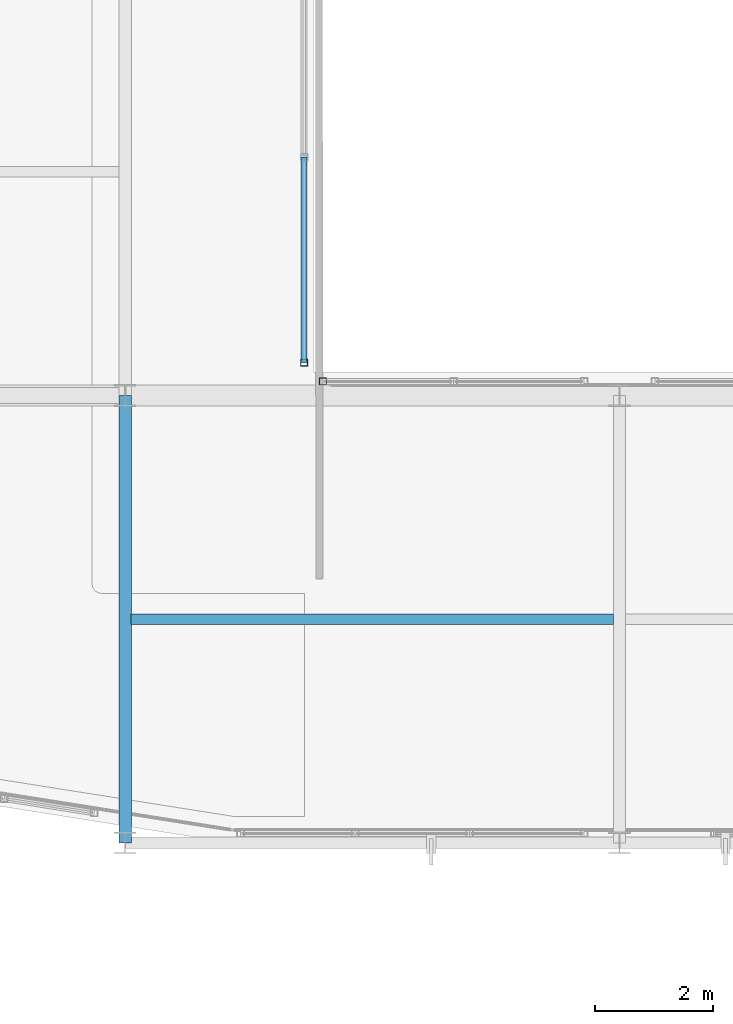
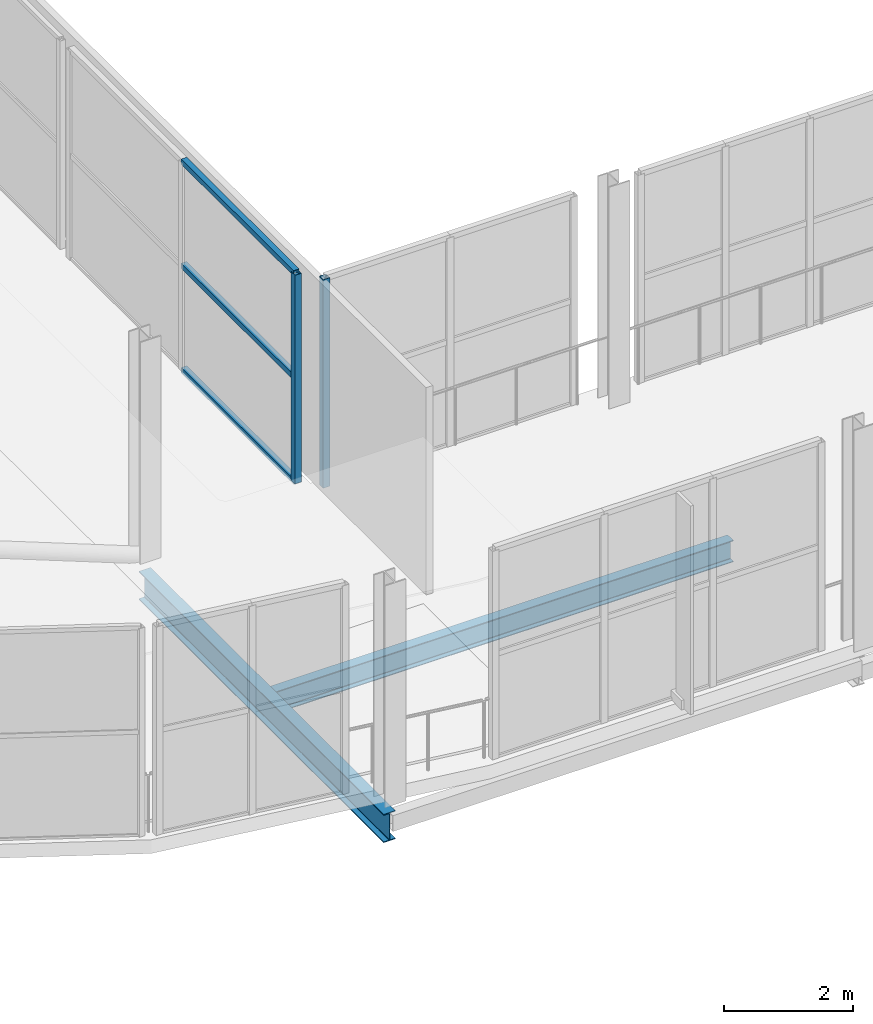
# One storey, part 19 of 217: 5 members, 2 beams, 2 elements without a shape of their own.
"""IFC4 building model written with IfcOpenShell, lengths in metres."""

import ifcopenshell
import ifcopenshell.guid

model = None  # the IFC model being written
_history = None  # IfcOwnerHistory: only IFC2X3 demands one
_inside = {}  # id of a spatial element -> (the spatial element, [elements in it])
_under = {}  # id of a project, library or spatial element -> (it, [spatial elements below it])
_declared = {}  # id of a project -> (the project, [libraries it declares])
_typed = {}  # id of a type object -> (the type object, [elements of that type])
_made_of = {}  # id of a material, layer set ... -> (it, [elements and type objects made of it])


def new_model(schema):
    """Start an empty IFC model of exactly this schema.

    Asked for "IFC4X3", IfcOpenShell would pick the latest addendum, in which some entities
    have other attributes; the version numbers below select the first issue.
    IFC2X3 requires an IfcOwnerHistory on every rooted entity: one is made here for all.
    """
    global model, _history
    if schema == "IFC4X3":
        model = ifcopenshell.file(schema_version=(4, 3, 0, 0))
    else:
        model = ifcopenshell.file(schema=schema)
    _inside.clear()
    _under.clear()
    _declared.clear()
    _typed.clear()
    _made_of.clear()
    _history = None
    if model.schema == "IFC2X3":
        org = make("IfcOrganization", Name="unknown")
        user = make(
            "IfcPersonAndOrganization",
            ThePerson=make("IfcPerson", FamilyName="unknown"),
            TheOrganization=org,
        )
        app = make(
            "IfcApplication",
            ApplicationDeveloper=org,
            Version="unknown",
            ApplicationFullName="unknown",
            ApplicationIdentifier="unknown",
        )
        _history = make(
            "IfcOwnerHistory",
            OwningUser=user,
            OwningApplication=app,
            ChangeAction="ADDED",
            CreationDate=0,
        )
    return model


def make(cls, **values):
    """One entity of the class cls with the attributes given. An attribute that is None is left unset."""
    return model.create_entity(
        cls, **{name: value for name, value in values.items() if value is not None}
    )


def rooted(cls, **values):
    """An entity with a GlobalId (a new one), such as an element, a storey or a relation."""
    return make(cls, GlobalId=ifcopenshell.guid.new(), OwnerHistory=_history, **values)


def si_unit(unit_type, name, prefix=None):
    """IfcSIUnit, for example si_unit("LENGTHUNIT", "METRE", prefix="MILLI")."""
    return make("IfcSIUnit", UnitType=unit_type, Prefix=prefix, Name=name)


def assignment(units):
    """IfcUnitAssignment: the units of a project."""
    return None if units is None else make("IfcUnitAssignment", Units=units)


def point(xyz):
    """IfcCartesianPoint."""
    return None if xyz is None else make("IfcCartesianPoint", Coordinates=xyz)


def direction(xyz):
    """IfcDirection."""
    return None if xyz is None else make("IfcDirection", DirectionRatios=xyz)


def frame(location, z_axis=None, x_axis=None):
    """IfcAxis2Placement3D, a coordinate frame: its origin and axes. An axis left out is left unset."""
    return make(
        "IfcAxis2Placement3D",
        Location=point(location),
        Axis=direction(z_axis),
        RefDirection=direction(x_axis),
    )


def frame_2d(location, x_axis=None):
    """IfcAxis2Placement2D, a coordinate frame in the plane: its origin and x axis."""
    return make(
        "IfcAxis2Placement2D", Location=point(location), RefDirection=direction(x_axis)
    )


def origin():
    """The frame at (0, 0, 0) with its axes left unset."""
    return frame((0.0, 0.0, 0.0))


def origin_2d():
    """The frame at (0, 0) in the plane with its x axis left unset."""
    return frame_2d((0.0, 0.0))


def place(relative_to, where):
    """IfcLocalPlacement: puts the frame where relative to a parent placement (None: the world)."""
    return make(
        "IfcLocalPlacement", PlacementRelTo=relative_to, RelativePlacement=where
    )


def context(
    kind, dimensions, precision=None, world=None, true_north=None, identifier=None
):
    """IfcGeometricRepresentationContext, for example the 3D "Model" context."""
    return make(
        "IfcGeometricRepresentationContext",
        ContextIdentifier=identifier,
        ContextType=kind,
        CoordinateSpaceDimension=dimensions,
        Precision=precision,
        WorldCoordinateSystem=world,
        TrueNorth=true_north,
    )


def subcontext(parent, identifier, kind, view, scale=None):
    """IfcGeometricRepresentationSubContext, for example "Body" below "Model"."""
    return make(
        "IfcGeometricRepresentationSubContext",
        ContextIdentifier=identifier,
        ContextType=kind,
        ParentContext=parent,
        TargetScale=scale,
        TargetView=view,
    )


def project(units=None, contexts=None):
    """IfcProject with its units and contexts."""
    return rooted(
        "IfcProject",
        Name="project",
        RepresentationContexts=contexts,
        UnitsInContext=assignment(units),
    )


def spatial(cls, under=None, at=None, **own):
    """A site, building, storey or space (cls), placed at a placement, below another one or the project."""
    s = rooted(cls, ObjectPlacement=at, **own)
    if under is not None:
        _under.setdefault(under.id(), (under, []))[1].append(s)
    return s


def profile(cls, at=None, kind="AREA", **sizes):
    """A parametric profile (cls). Its sizes go by their IFC names, for example OverallWidth=200.0."""
    return make(cls, ProfileType=kind, Position=at, **sizes)


def hollow_rectangle(**sizes):
    """IfcRectangleHollowProfileDef."""
    return profile("IfcRectangleHollowProfileDef", **sizes)


def i_section(**sizes):
    """IfcIShapeProfileDef."""
    return profile("IfcIShapeProfileDef", **sizes)


def extrude(swept, where, along, depth):
    """IfcExtrudedAreaSolid: the profile swept, set in the frame where, extruded along a direction by depth."""
    return make(
        "IfcExtrudedAreaSolid",
        SweptArea=swept,
        Position=where,
        ExtrudedDirection=direction(along),
        Depth=depth,
    )


def shape(context_of_items, identifier, shape_type, items):
    """IfcShapeRepresentation: the items that make up one representation, for example the "Body"."""
    return make(
        "IfcShapeRepresentation",
        ContextOfItems=context_of_items,
        RepresentationIdentifier=identifier,
        RepresentationType=shape_type,
        Items=items,
    )


def material(Name=None, Category=None):
    """IfcMaterial."""
    return make("IfcMaterial", Name=Name, Category=Category)


def material_profile(
    of_material, cross_section, Name=None, Category=None, Priority=None
):
    """IfcMaterialProfile: a cross section and its material."""
    return make(
        "IfcMaterialProfile",
        Name=Name,
        Material=of_material,
        Profile=cross_section,
        Priority=Priority,
        Category=Category,
    )


def profile_set(profiles, Name=None, composite=None):
    """IfcMaterialProfileSet."""
    return make(
        "IfcMaterialProfileSet",
        Name=Name,
        MaterialProfiles=profiles,
        CompositeProfile=composite,
    )


def made_of(thing, what):
    """Note that an element or type object is made of a material, layer set ...; save() writes the relation."""
    if what is not None:
        _made_of.setdefault(what.id(), (what, []))[1].append(thing)
    return thing


def type_object(cls, material=None, **own):
    """A type object (cls), such as IfcWallType, which elements share."""
    return made_of(rooted(cls, **own), material)


def element(
    cls,
    number,
    at=None,
    inside=None,
    cuts=None,
    type_object=None,
    material=None,
    context=None,
    identifier="Body",
    shape_type=None,
    held_by="IfcProductDefinitionShape",
    body=None,
    shapes=None,
    **own,
):
    """One element of the class cls, such as IfcWall. Its Tag is "e" and its number.

    at: its placement. inside: the storey or other place that contains it. cuts: it is an
    opening in that element (IfcRelVoidsElement). A single representation is given by context,
    identifier, shape_type and body (its items); several are given by shapes. held_by: the class
    of the entity that holds the representations. save() writes the other relations.
    """
    e = rooted(cls, Tag="e%d" % number, ObjectPlacement=at, **own)
    if body is not None:
        shapes = [shape(context, identifier, shape_type, body)]
    if shapes is not None:
        e.Representation = make(held_by, Representations=shapes)
    if inside is not None:
        _inside.setdefault(inside.id(), (inside, []))[1].append(e)
    if cuts is not None:
        rooted(
            "IfcRelVoidsElement", RelatingBuildingElement=cuts, RelatedOpeningElement=e
        )
    if type_object is not None:
        _typed.setdefault(type_object.id(), (type_object, []))[1].append(e)
    return made_of(e, material)


def aggregate(whole, parts):
    """IfcRelAggregates: a whole, such as a stair, and the parts it consists of."""
    return rooted("IfcRelAggregates", RelatingObject=whole, RelatedObjects=parts)


def save(model, path):
    """Write the relations noted so far, then the file.

    IfcRelAggregates (storeys below a building ...), IfcRelContainedInSpatialStructure (elements
    in a storey), IfcRelDefinesByType, IfcRelAssociatesMaterial and IfcRelDeclares: one each for
    every whole, place, type object, material and project.
    """
    for whole, parts in _under.values():
        aggregate(whole, parts)
    for where, things in _inside.values():
        rooted(
            "IfcRelContainedInSpatialStructure",
            RelatedElements=things,
            RelatingStructure=where,
        )
    for kind, things in _typed.values():
        rooted("IfcRelDefinesByType", RelatedObjects=things, RelatingType=kind)
    for what, things in _made_of.values():
        rooted("IfcRelAssociatesMaterial", RelatedObjects=things, RelatingMaterial=what)
    for by, libraries in _declared.values():
        rooted("IfcRelDeclares", RelatingContext=by, RelatedDefinitions=libraries)
    model.write(path)


model = new_model("IFC4")

# Units and contexts
model_context = context("Model", 3, precision=1e-05, world=origin(), true_north=direction((0.0, 1.0)))
body_context = subcontext(model_context, "Body", "Model", "MODEL_VIEW")
ifc_project = project(units=[si_unit("LENGTHUNIT", "METRE"), si_unit("AREAUNIT", "SQUARE_METRE"), si_unit("VOLUMEUNIT", "CUBIC_METRE"), si_unit("PLANEANGLEUNIT", "RADIAN"), si_unit("MASSUNIT", "GRAM", prefix="KILO")], contexts=[model_context])

# Site, building, storey
site_placement = place(None, origin())
site = spatial("IfcSite", under=ifc_project, at=site_placement, CompositionType="ELEMENT")
building_placement = place(site_placement, origin())
building = spatial("IfcBuilding", under=site, at=building_placement, Name="Zuvorla Pavilion Media Centre", CompositionType="ELEMENT")
storey_placement = place(building_placement, frame((0.0, 0.0, 9.60009765625)))
storey = spatial("IfcBuildingStorey", under=building, at=storey_placement, Name="L02", CompositionType="ELEMENT", Elevation=9.60009765625)

# Beams
ifc_material_1 = material(Name="Steel S355", Category="steel")
ifc_material_profile_1 = material_profile(ifc_material_1, i_section(OverallWidth=0.1787109375, OverallDepth=0.409423828125, WebThickness=0.0087890625, FlangeThickness=0.014404296875, FilletRadius=0.01025390625, at=origin_2d()), Name="UB 406x178x67")
ifc_profile_set_1 = profile_set([ifc_material_profile_1], Name="Steel S355")
beam_type_1 = type_object("IfcBeamType", Name="BM-UB406", PredefinedType="JOIST", material=ifc_profile_set_1)
beam_1_placement = place(storey_placement, frame((24.89990234375, 47.800048828125, -0.472900390625), z_axis=(1.0, 0.0, 0.0), x_axis=(0.0, 1.0, 0.0)))
element("IfcBeam", 1, at=beam_1_placement, inside=storey, type_object=beam_type_1, Name="L02 joist J02 985", PredefinedType="JOIST", context=body_context, shape_type="SweptSolid", body=[
    extrude(i_section(OverallWidth=0.1787109375, OverallDepth=0.409423828125, WebThickness=0.0087890625, FlangeThickness=0.014404296875, FilletRadius=0.01025390625, at=origin_2d()), origin(), (0.0, 0.0, 1.0), 8.2001953125),
])
ifc_material_profile_2 = material_profile(ifc_material_1, i_section(OverallWidth=0.2099609375, OverallDepth=0.53662109375, WebThickness=0.0107421875, FlangeThickness=0.017333984375, FilletRadius=0.0126953125, at=origin_2d()), Name="UB 533x210x101")
ifc_profile_set_2 = profile_set([ifc_material_profile_2], Name="Steel S355")
beam_type_2 = type_object("IfcBeamType", Name="BM-UB533", PredefinedType="BEAM", material=ifc_profile_set_2)
beam_2_placement = place(storey_placement, frame((24.800048828125, 44.0, -0.536376953125), z_axis=(0.0, 1.0, 0.0), x_axis=(-1.0, 0.0, 0.0)))
element("IfcBeam", 2, at=beam_2_placement, inside=storey, type_object=beam_type_2, Name="L02 beam B08 895", PredefinedType="BEAM", context=body_context, shape_type="SweptSolid", body=[
    extrude(i_section(OverallWidth=0.2099609375, OverallDepth=0.53662109375, WebThickness=0.0107421875, FlangeThickness=0.017333984375, FilletRadius=0.0126953125, at=origin_2d()), origin(), (0.0, 0.0, 1.0), 7.60009765625),
])

# Curtain wall, member
ifc_material_2 = material(Name="Unitised anodised aluminium and solar glass curtain wall", Category="aluminium")
curtain_wall_type_1 = type_object("IfcCurtainWallType", Name="CW-SYS-28", PredefinedType="USERDEFINED", material=ifc_material_2)
curtain_wall_1_placement = place(storey_placement, origin())
curtain_wall_1 = element("IfcCurtainWall", 3, at=curtain_wall_1_placement, inside=storey, type_object=curtain_wall_type_1, Name="L02 curtain wall CW28 49", ObjectType="CURTAIN WALL", PredefinedType="USERDEFINED")
ifc_material_3 = material(Name="Anodised aluminium 6063-T6", Category="aluminium")
ifc_material_profile_3 = material_profile(ifc_material_3, hollow_rectangle(XDim=0.1201171875, YDim=0.1201171875, WallThickness=0.0048828125, at=origin_2d()), Name="ALU MULL 120x120")
ifc_profile_set_3 = profile_set([ifc_material_profile_3], Name="Anodised aluminium 6063-T6")
member_type_1 = type_object("IfcMemberType", Name="CW-MULL-120", PredefinedType="MULLION", material=ifc_profile_set_3)
member_1_placement = place(storey_placement, frame((28.159912109375, 51.840087890625, 0.0), z_axis=(0.0, 0.0, 1.0), x_axis=(1.0, 0.0, 0.0)))
member_1 = element("IfcMember", 4, at=member_1_placement, type_object=member_type_1, Name="CW28 mullion 1", PredefinedType="MULLION", context=body_context, shape_type="SweptSolid", body=[
    extrude(hollow_rectangle(XDim=0.1201171875, YDim=0.1201171875, WallThickness=0.0048828125, at=origin_2d()), origin(), (0.0, 0.0, 1.0), 3.949951171875),
])
aggregate(curtain_wall_1, [member_1])

# Curtain wall, members
curtain_wall_type_2 = type_object("IfcCurtainWallType", Name="CW-SYS-57", PredefinedType="USERDEFINED", material=ifc_material_2)
curtain_wall_2_placement = place(storey_placement, origin())
curtain_wall_2 = element("IfcCurtainWall", 5, at=curtain_wall_2_placement, inside=storey, type_object=curtain_wall_type_2, Name="L02 curtain wall CW57 87", ObjectType="CURTAIN WALL", PredefinedType="USERDEFINED")
member_2_placement = place(storey_placement, frame((27.840087890625, 52.159912109375, 0.0), z_axis=(0.0, 0.0, 1.0), x_axis=(1.0, 0.0, 0.0)))
member_2 = element("IfcMember", 6, at=member_2_placement, type_object=member_type_1, Name="CW57 mullion 3", PredefinedType="MULLION", context=body_context, shape_type="SweptSolid", body=[
    extrude(hollow_rectangle(XDim=0.1201171875, YDim=0.1201171875, WallThickness=0.0048828125, at=origin_2d()), origin(), (0.0, 0.0, 1.0), 3.949951171875),
])
ifc_material_profile_4 = material_profile(ifc_material_3, hollow_rectangle(XDim=0.10009765625, YDim=0.10009765625, WallThickness=0.00439453125, at=origin_2d()), Name="ALU TRAN 100x100")
ifc_profile_set_4 = profile_set([ifc_material_profile_4], Name="Anodised aluminium 6063-T6")
member_type_2 = type_object("IfcMemberType", Name="CW-TRAN-100", PredefinedType="USERDEFINED", material=ifc_profile_set_4)
member_3_placement = place(storey_placement, frame((27.840087890625, 55.64990234375, 0.0), z_axis=(0.0, -1.0, 0.0), x_axis=(1.0, 0.0, 0.0)))
member_3 = element("IfcMember", 7, at=member_3_placement, type_object=member_type_2, Name="CW57 transom 2.1", ObjectType="TRANSOM", PredefinedType="USERDEFINED", context=body_context, shape_type="SweptSolid", body=[
    extrude(hollow_rectangle(XDim=0.10009765625, YDim=0.10009765625, WallThickness=0.00439453125, at=origin_2d()), origin(), (0.0, 0.0, 1.0), 3.489990234375),
])
member_4_placement = place(storey_placement, frame((27.840087890625, 55.64990234375, 1.974853515625), z_axis=(0.0, -1.0, 0.0), x_axis=(1.0, 0.0, 0.0)))
member_4 = element("IfcMember", 8, at=member_4_placement, type_object=member_type_2, Name="CW57 transom 2.2", ObjectType="TRANSOM", PredefinedType="USERDEFINED", context=body_context, shape_type="SweptSolid", body=[
    extrude(hollow_rectangle(XDim=0.10009765625, YDim=0.10009765625, WallThickness=0.00439453125, at=origin_2d()), origin(), (0.0, 0.0, 1.0), 3.489990234375),
])
member_5_placement = place(storey_placement, frame((27.840087890625, 55.64990234375, 3.949951171875), z_axis=(0.0, -1.0, 0.0), x_axis=(1.0, 0.0, 0.0)))
member_5 = element("IfcMember", 9, at=member_5_placement, type_object=member_type_2, Name="CW57 transom 2.3", ObjectType="TRANSOM", PredefinedType="USERDEFINED", context=body_context, shape_type="SweptSolid", body=[
    extrude(hollow_rectangle(XDim=0.10009765625, YDim=0.10009765625, WallThickness=0.00439453125, at=origin_2d()), origin(), (0.0, 0.0, 1.0), 3.489990234375),
])
aggregate(curtain_wall_2, [member_2, member_3, member_4, member_5])

save(model, "model.ifc")
